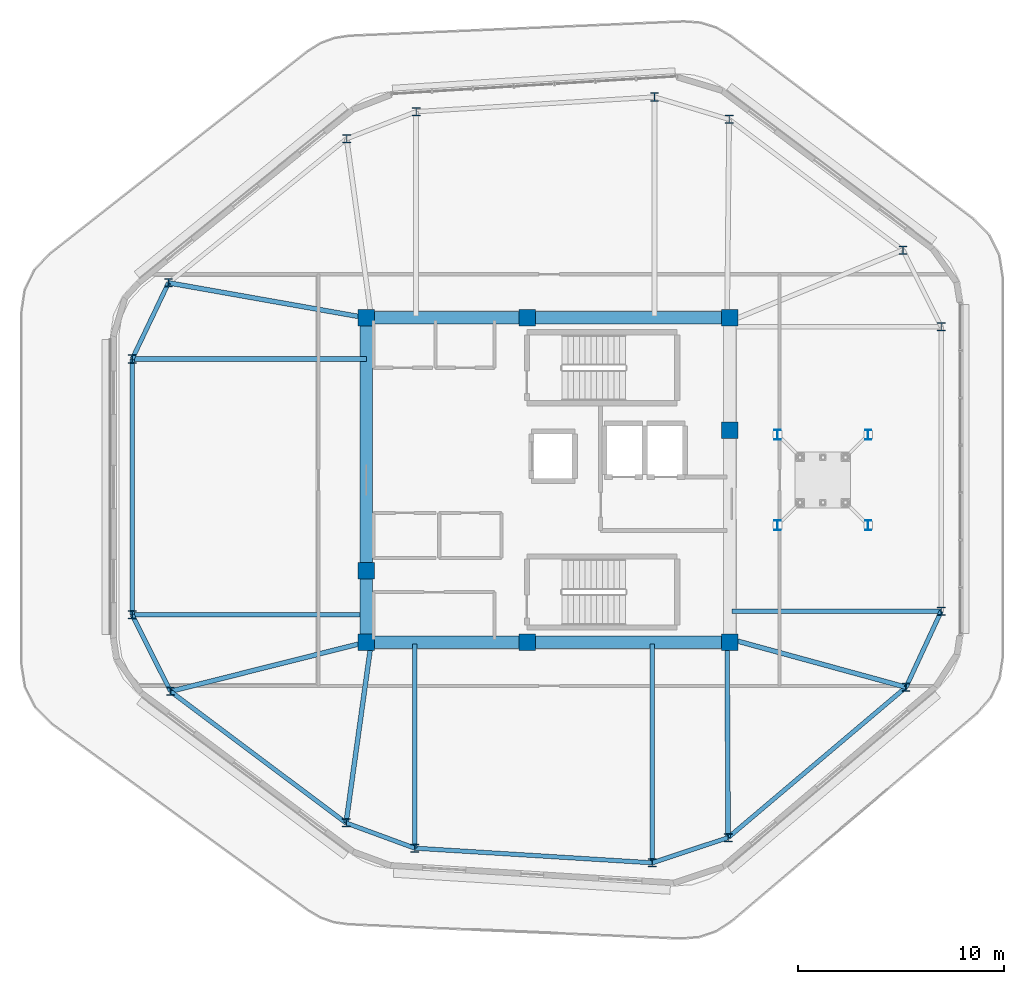
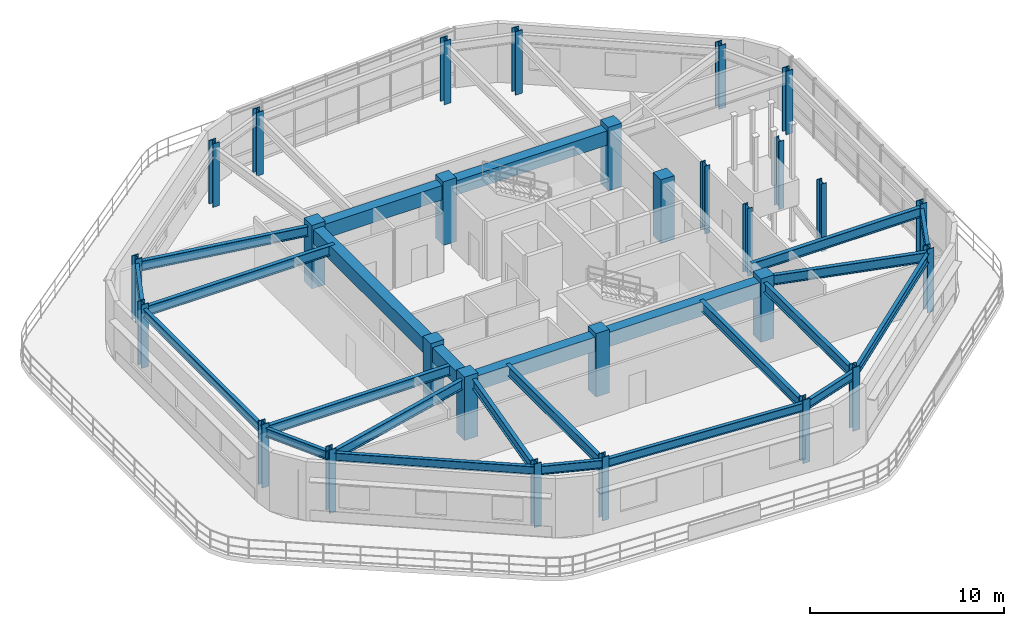
# One storey, part 1 of 13: 28 columns, 25 beams.
"""IFC4 building model written with IfcOpenShell, lengths in metres."""

import ifcopenshell
import ifcopenshell.guid

model = None  # the IFC model being written
_history = None  # IfcOwnerHistory: only IFC2X3 demands one
_inside = {}  # id of a spatial element -> (the spatial element, [elements in it])
_under = {}  # id of a project, library or spatial element -> (it, [spatial elements below it])
_declared = {}  # id of a project -> (the project, [libraries it declares])
_typed = {}  # id of a type object -> (the type object, [elements of that type])
_made_of = {}  # id of a material, layer set ... -> (it, [elements and type objects made of it])


def new_model(schema):
    """Start an empty IFC model of exactly this schema.

    Asked for "IFC4X3", IfcOpenShell would pick the latest addendum, in which some entities
    have other attributes; the version numbers below select the first issue.
    IFC2X3 requires an IfcOwnerHistory on every rooted entity: one is made here for all.
    """
    global model, _history
    if schema == "IFC4X3":
        model = ifcopenshell.file(schema_version=(4, 3, 0, 0))
    else:
        model = ifcopenshell.file(schema=schema)
    _inside.clear()
    _under.clear()
    _declared.clear()
    _typed.clear()
    _made_of.clear()
    _history = None
    if model.schema == "IFC2X3":
        org = make("IfcOrganization", Name="unknown")
        user = make(
            "IfcPersonAndOrganization",
            ThePerson=make("IfcPerson", FamilyName="unknown"),
            TheOrganization=org,
        )
        app = make(
            "IfcApplication",
            ApplicationDeveloper=org,
            Version="unknown",
            ApplicationFullName="unknown",
            ApplicationIdentifier="unknown",
        )
        _history = make(
            "IfcOwnerHistory",
            OwningUser=user,
            OwningApplication=app,
            ChangeAction="ADDED",
            CreationDate=0,
        )
    return model


def make(cls, **values):
    """One entity of the class cls with the attributes given. An attribute that is None is left unset."""
    return model.create_entity(
        cls, **{name: value for name, value in values.items() if value is not None}
    )


def rooted(cls, **values):
    """An entity with a GlobalId (a new one), such as an element, a storey or a relation."""
    return make(cls, GlobalId=ifcopenshell.guid.new(), OwnerHistory=_history, **values)


def si_unit(unit_type, name, prefix=None):
    """IfcSIUnit, for example si_unit("LENGTHUNIT", "METRE", prefix="MILLI")."""
    return make("IfcSIUnit", UnitType=unit_type, Prefix=prefix, Name=name)


def assignment(units):
    """IfcUnitAssignment: the units of a project."""
    return None if units is None else make("IfcUnitAssignment", Units=units)


def point(xyz):
    """IfcCartesianPoint."""
    return None if xyz is None else make("IfcCartesianPoint", Coordinates=xyz)


def direction(xyz):
    """IfcDirection."""
    return None if xyz is None else make("IfcDirection", DirectionRatios=xyz)


def frame(location, z_axis=None, x_axis=None):
    """IfcAxis2Placement3D, a coordinate frame: its origin and axes. An axis left out is left unset."""
    return make(
        "IfcAxis2Placement3D",
        Location=point(location),
        Axis=direction(z_axis),
        RefDirection=direction(x_axis),
    )


def frame_2d(location, x_axis=None):
    """IfcAxis2Placement2D, a coordinate frame in the plane: its origin and x axis."""
    return make(
        "IfcAxis2Placement2D", Location=point(location), RefDirection=direction(x_axis)
    )


def origin():
    """The frame at (0, 0, 0) with its axes left unset."""
    return frame((0.0, 0.0, 0.0))


def origin_2d():
    """The frame at (0, 0) in the plane with its x axis left unset."""
    return frame_2d((0.0, 0.0))


def place(relative_to, where):
    """IfcLocalPlacement: puts the frame where relative to a parent placement (None: the world)."""
    return make(
        "IfcLocalPlacement", PlacementRelTo=relative_to, RelativePlacement=where
    )


def context(
    kind, dimensions, precision=None, world=None, true_north=None, identifier=None
):
    """IfcGeometricRepresentationContext, for example the 3D "Model" context."""
    return make(
        "IfcGeometricRepresentationContext",
        ContextIdentifier=identifier,
        ContextType=kind,
        CoordinateSpaceDimension=dimensions,
        Precision=precision,
        WorldCoordinateSystem=world,
        TrueNorth=true_north,
    )


def subcontext(parent, identifier, kind, view, scale=None):
    """IfcGeometricRepresentationSubContext, for example "Body" below "Model"."""
    return make(
        "IfcGeometricRepresentationSubContext",
        ContextIdentifier=identifier,
        ContextType=kind,
        ParentContext=parent,
        TargetScale=scale,
        TargetView=view,
    )


def project(units=None, contexts=None):
    """IfcProject with its units and contexts."""
    return rooted(
        "IfcProject",
        Name="project",
        RepresentationContexts=contexts,
        UnitsInContext=assignment(units),
    )


def spatial(cls, under=None, at=None, **own):
    """A site, building, storey or space (cls), placed at a placement, below another one or the project."""
    s = rooted(cls, ObjectPlacement=at, **own)
    if under is not None:
        _under.setdefault(under.id(), (under, []))[1].append(s)
    return s


def profile(cls, at=None, kind="AREA", **sizes):
    """A parametric profile (cls). Its sizes go by their IFC names, for example OverallWidth=200.0."""
    return make(cls, ProfileType=kind, Position=at, **sizes)


def rectangle(**sizes):
    """IfcRectangleProfileDef."""
    return profile("IfcRectangleProfileDef", **sizes)


def i_section(**sizes):
    """IfcIShapeProfileDef."""
    return profile("IfcIShapeProfileDef", **sizes)


def extrude(swept, where, along, depth):
    """IfcExtrudedAreaSolid: the profile swept, set in the frame where, extruded along a direction by depth."""
    return make(
        "IfcExtrudedAreaSolid",
        SweptArea=swept,
        Position=where,
        ExtrudedDirection=direction(along),
        Depth=depth,
    )


def shape(context_of_items, identifier, shape_type, items):
    """IfcShapeRepresentation: the items that make up one representation, for example the "Body"."""
    return make(
        "IfcShapeRepresentation",
        ContextOfItems=context_of_items,
        RepresentationIdentifier=identifier,
        RepresentationType=shape_type,
        Items=items,
    )


def material(Name=None, Category=None):
    """IfcMaterial."""
    return make("IfcMaterial", Name=Name, Category=Category)


def material_profile(
    of_material, cross_section, Name=None, Category=None, Priority=None
):
    """IfcMaterialProfile: a cross section and its material."""
    return make(
        "IfcMaterialProfile",
        Name=Name,
        Material=of_material,
        Profile=cross_section,
        Priority=Priority,
        Category=Category,
    )


def profile_set(profiles, Name=None, composite=None):
    """IfcMaterialProfileSet."""
    return make(
        "IfcMaterialProfileSet",
        Name=Name,
        MaterialProfiles=profiles,
        CompositeProfile=composite,
    )


def made_of(thing, what):
    """Note that an element or type object is made of a material, layer set ...; save() writes the relation."""
    if what is not None:
        _made_of.setdefault(what.id(), (what, []))[1].append(thing)
    return thing


def type_object(cls, material=None, **own):
    """A type object (cls), such as IfcWallType, which elements share."""
    return made_of(rooted(cls, **own), material)


def element(
    cls,
    number,
    at=None,
    inside=None,
    cuts=None,
    type_object=None,
    material=None,
    context=None,
    identifier="Body",
    shape_type=None,
    held_by="IfcProductDefinitionShape",
    body=None,
    shapes=None,
    **own,
):
    """One element of the class cls, such as IfcWall. Its Tag is "e" and its number.

    at: its placement. inside: the storey or other place that contains it. cuts: it is an
    opening in that element (IfcRelVoidsElement). A single representation is given by context,
    identifier, shape_type and body (its items); several are given by shapes. held_by: the class
    of the entity that holds the representations. save() writes the other relations.
    """
    e = rooted(cls, Tag="e%d" % number, ObjectPlacement=at, **own)
    if body is not None:
        shapes = [shape(context, identifier, shape_type, body)]
    if shapes is not None:
        e.Representation = make(held_by, Representations=shapes)
    if inside is not None:
        _inside.setdefault(inside.id(), (inside, []))[1].append(e)
    if cuts is not None:
        rooted(
            "IfcRelVoidsElement", RelatingBuildingElement=cuts, RelatedOpeningElement=e
        )
    if type_object is not None:
        _typed.setdefault(type_object.id(), (type_object, []))[1].append(e)
    return made_of(e, material)


def aggregate(whole, parts):
    """IfcRelAggregates: a whole, such as a stair, and the parts it consists of."""
    return rooted("IfcRelAggregates", RelatingObject=whole, RelatedObjects=parts)


def save(model, path):
    """Write the relations noted so far, then the file.

    IfcRelAggregates (storeys below a building ...), IfcRelContainedInSpatialStructure (elements
    in a storey), IfcRelDefinesByType, IfcRelAssociatesMaterial and IfcRelDeclares: one each for
    every whole, place, type object, material and project.
    """
    for whole, parts in _under.values():
        aggregate(whole, parts)
    for where, things in _inside.values():
        rooted(
            "IfcRelContainedInSpatialStructure",
            RelatedElements=things,
            RelatingStructure=where,
        )
    for kind, things in _typed.values():
        rooted("IfcRelDefinesByType", RelatedObjects=things, RelatingType=kind)
    for what, things in _made_of.values():
        rooted("IfcRelAssociatesMaterial", RelatedObjects=things, RelatingMaterial=what)
    for by, libraries in _declared.values():
        rooted("IfcRelDeclares", RelatingContext=by, RelatedDefinitions=libraries)
    model.write(path)


model = new_model("IFC4")

# Units and contexts
model_context = context("Model", 3, precision=1e-05, world=origin(), true_north=direction((0.0, 1.0)))
body_context = subcontext(model_context, "Body", "Model", "MODEL_VIEW")
ifc_project = project(units=[si_unit("LENGTHUNIT", "METRE"), si_unit("AREAUNIT", "SQUARE_METRE"), si_unit("VOLUMEUNIT", "CUBIC_METRE"), si_unit("PLANEANGLEUNIT", "RADIAN"), si_unit("MASSUNIT", "GRAM", prefix="KILO")], contexts=[model_context])

# Site, building, storey
site_placement = place(None, origin())
site = spatial("IfcSite", under=ifc_project, at=site_placement, CompositionType="ELEMENT")
building_placement = place(site_placement, origin())
building = spatial("IfcBuilding", under=site, at=building_placement, Name="Zulverin Broadcast Headquarters", CompositionType="ELEMENT")
storey_placement = place(building_placement, frame((0.0, 0.0, 313.39990234375)))
storey = spatial("IfcBuildingStorey", under=building, at=storey_placement, Name="C1", CompositionType="ELEMENT", Elevation=313.39990234375)

# Columns
ifc_material_1 = material(Name="Structural steel S355JR", Category="steel")
ifc_material_profile_1 = material_profile(ifc_material_1, i_section(OverallWidth=0.300048828125, OverallDepth=0.5, WebThickness=0.014404296875, FlangeThickness=0.028076171875, at=origin_2d()), Name="Structural steel S355JR", Category="steel")
ifc_profile_set_1 = profile_set([ifc_material_profile_1], Name="Structural steel S355JR")
column_type_1 = type_object("IfcColumnType", Name="COL-HEB-500", PredefinedType="COLUMN", material=ifc_profile_set_1)
for number, where, z_axis, x_axis, name in (
    (1, (50.60009765625, 23.0, -0.27978515625), (0.0, 0.0, 1.0), (1.0, 0.0, 0.0), "C1 Tuned Mass Damper Frame Column TMD-C1"),
    (2, (55.0, 23.0, -0.27978515625), (0.0, 0.0, 1.0), (1.0, 0.0, 0.0), "C1 Tuned Mass Damper Frame Column TMD-C2"),
    (3, (55.0, 27.39990234375, -0.27978515625), (0.0, 0.0, 1.0), (1.0, 0.0, 0.0), "C1 Tuned Mass Damper Frame Column TMD-C3"),
    (4, (50.60009765625, 27.39990234375, -0.27978515625), (0.0, 0.0, 1.0), (1.0, 0.0, 0.0), "C1 Tuned Mass Damper Frame Column TMD-C4"),
):
    element("IfcColumn", number, at=place(storey_placement, frame(where, z_axis=z_axis, x_axis=x_axis)), inside=storey, type_object=column_type_1, Name=name, PredefinedType="COLUMN", context=body_context, shape_type="SweptSolid", body=[
        extrude(i_section(OverallWidth=0.300048828125, OverallDepth=0.5, WebThickness=0.014404296875, FlangeThickness=0.028076171875, at=origin_2d()), origin(), (0.0, 0.0, 1.0), 4.27978515625),
    ])
ifc_material_profile_2 = material_profile(ifc_material_1, i_section(OverallWidth=0.406982421875, OverallDepth=0.4189453125, WebThickness=0.030517578125, FlangeThickness=0.04931640625, at=origin_2d()), Name="Structural steel S355JR", Category="steel")
ifc_profile_set_2 = profile_set([ifc_material_profile_2], Name="Structural steel S355JR")
column_type_2 = type_object("IfcColumnType", Name="COL-UC-393", PredefinedType="COLUMN", material=ifc_profile_set_2)
for number, where, z_axis, x_axis, name in (
    (5, (32.971923828125, 7.314697265625, 0.0), (0.0, 0.0, 1.0), (1.0, 0.0, 0.0), "C1 Perimeter Column T01"),
    (6, (44.510498046875, 6.602783203125, 0.0), (0.0, 0.0, 1.0), (1.0, 0.0, 0.0), "C1 Perimeter Column T02"),
    (7, (48.198486328125, 7.82568359375, 0.0), (0.0, 0.0, 1.0), (1.0, 0.0, 0.0), "C1 Perimeter Column T03"),
    (8, (56.83935546875, 15.132568359375, 0.0), (0.0, 0.0, 1.0), (1.0, 0.0, 0.0), "C1 Perimeter Column T04"),
    (9, (58.550048828125, 18.819580078125, 0.0), (0.0, 0.0, 1.0), (1.0, 0.0, 0.0), "C1 Perimeter Column T05"),
    (10, (58.550048828125, 32.648193359375, 0.0), (0.0, 0.0, 1.0), (1.0, 0.0, 0.0), "C1 Perimeter Column T06"),
    (11, (56.692626953125, 36.36767578125, 0.0), (0.0, 0.0, 1.0), (1.0, 0.0, 0.0), "C1 Perimeter Column T07"),
    (12, (48.24609375, 42.716796875, 0.0), (0.0, 0.0, 1.0), (1.0, 0.0, 0.0), "C1 Perimeter Column T08"),
    (13, (44.622314453125, 43.80419921875, 0.0), (0.0, 0.0, 1.0), (1.0, 0.0, 0.0), "C1 Perimeter Column T09"),
    (14, (33.041259765625, 43.089599609375, 0.0), (0.0, 0.0, 1.0), (1.0, 0.0, 0.0), "C1 Perimeter Column T10"),
    (15, (29.665771484375, 41.776611328125, 0.0), (0.0, 0.0, 1.0), (1.0, 0.0, 0.0), "C1 Perimeter Column T11"),
    (16, (21.015625, 34.77587890625, 0.0), (0.0, 0.0, 1.0), (1.0, 0.0, 0.0), "C1 Perimeter Column T12"),
    (17, (19.25, 31.07568359375, 0.0), (0.0, 0.0, 1.0), (1.0, 0.0, 0.0), "C1 Perimeter Column T13"),
    (18, (19.25, 18.65087890625, 0.0), (0.0, 0.0, 1.0), (1.0, 0.0, 0.0), "C1 Perimeter Column T14"),
    (19, (21.111083984375, 14.9306640625, 0.0), (0.0, 0.0, 1.0), (1.0, 0.0, 0.0), "C1 Perimeter Column T15"),
    (20, (29.639404296875, 8.5400390625, 0.0), (0.0, 0.0, 1.0), (1.0, 0.0, 0.0), "C1 Perimeter Column T16"),
):
    element("IfcColumn", number, at=place(storey_placement, frame(where, z_axis=z_axis, x_axis=x_axis)), inside=storey, type_object=column_type_2, Name=name, PredefinedType="COLUMN", context=body_context, shape_type="SweptSolid", body=[
        extrude(i_section(OverallWidth=0.406982421875, OverallDepth=0.4189453125, WebThickness=0.030517578125, FlangeThickness=0.04931640625, at=origin_2d()), origin(), (0.0, 0.0, 1.0), 4.0),
    ])
ifc_material_2 = material(Name="Concrete C50/60", Category="concrete")
ifc_material_profile_3 = material_profile(ifc_material_2, rectangle(XDim=0.800048828125, YDim=0.800048828125, at=origin_2d()), Name="Concrete C50/60", Category="concrete")
ifc_profile_set_3 = profile_set([ifc_material_profile_3], Name="Concrete C50/60")
column_type_3 = type_object("IfcColumnType", Name="PIL-RC-800", PredefinedType="PILASTER", material=ifc_profile_set_3)
for number, where, z_axis, x_axis, name in (
    (21, (30.625, 17.324951171875, 0.0), (0.0, 0.0, 1.0), (1.0, 0.0, 0.0), "C1 Core Pilaster K01"),
    (22, (38.449951171875, 17.324951171875, 0.0), (0.0, 0.0, 1.0), (1.0, 0.0, 0.0), "C1 Core Pilaster K02"),
    (23, (48.27490234375, 17.324951171875, 0.0), (0.0, 0.0, 1.0), (1.0, 0.0, 0.0), "C1 Core Pilaster K03"),
    (24, (48.27490234375, 27.6201171875, 0.0), (0.0, 0.0, 1.0), (1.0, 0.0, 0.0), "C1 Core Pilaster K04"),
    (25, (48.27490234375, 33.074951171875, 0.0), (0.0, 0.0, 1.0), (1.0, 0.0, 0.0), "C1 Core Pilaster K05"),
    (26, (38.449951171875, 33.074951171875, 0.0), (0.0, 0.0, 1.0), (1.0, 0.0, 0.0), "C1 Core Pilaster K06"),
    (27, (30.625, 33.074951171875, 0.0), (0.0, 0.0, 1.0), (1.0, 0.0, 0.0), "C1 Core Pilaster K07"),
    (28, (30.625, 20.800048828125, 0.0), (0.0, 0.0, 1.0), (1.0, 0.0, 0.0), "C1 Core Pilaster K08"),
):
    element("IfcColumn", number, at=place(storey_placement, frame(where, z_axis=z_axis, x_axis=x_axis)), inside=storey, type_object=column_type_3, Name=name, PredefinedType="PILASTER", context=body_context, shape_type="SweptSolid", body=[
        extrude(rectangle(XDim=0.800048828125, YDim=0.800048828125, at=origin_2d()), origin(), (0.0, 0.0, 1.0), 4.0),
    ])

# Beams
ifc_material_3 = material(Name="Concrete C60/75", Category="concrete")
ifc_material_profile_4 = material_profile(ifc_material_3, rectangle(XDim=0.60009765625, YDim=0.89990234375, at=origin_2d()), Name="Concrete C60/75", Category="concrete")
ifc_profile_set_4 = profile_set([ifc_material_profile_4], Name="Concrete C60/75")
beam_type_1 = type_object("IfcBeamType", Name="BM-CB-600x900", PredefinedType="LINTEL", material=ifc_profile_set_4)
beam_1_placement = place(storey_placement, frame((30.625, 17.324951171875, 3.27001953125), z_axis=(1.0, 0.0, 0.0), x_axis=(0.0, 1.0, 0.0)))
element("IfcBeam", 29, at=beam_1_placement, inside=storey, type_object=beam_type_1, Name="C1 Core Coupling Girder K01-K02", PredefinedType="LINTEL", context=body_context, shape_type="SweptSolid", body=[
    extrude(rectangle(XDim=0.60009765625, YDim=0.89990234375, at=origin_2d()), origin(), (0.0, 0.0, 1.0), 7.824951171875),
])
for number, where, z_axis, x_axis, name in (
    (30, (38.449951171875, 17.324951171875, 3.27001953125), (1.0, 0.0, 0.0), (0.0, 1.0, 0.0), "C1 Core Coupling Girder K02-K03"),
    (31, (48.27490234375, 33.074951171875, 3.27001953125), (-1.0, 0.0, 0.0), (0.0, -1.0, 0.0), "C1 Core Coupling Girder K05-K06"),
):
    element("IfcBeam", number, at=place(storey_placement, frame(where, z_axis=z_axis, x_axis=x_axis)), inside=storey, type_object=beam_type_1, Name=name, PredefinedType="LINTEL", context=body_context, shape_type="SweptSolid", body=[
        extrude(rectangle(XDim=0.60009765625, YDim=0.89990234375, at=origin_2d()), origin(), (0.0, 0.0, 1.0), 9.824951171875),
    ])
beam_2_placement = place(storey_placement, frame((38.449951171875, 33.074951171875, 3.27001953125), z_axis=(-1.0, 0.0, 0.0), x_axis=(0.0, -1.0, 0.0)))
element("IfcBeam", 32, at=beam_2_placement, inside=storey, type_object=beam_type_1, Name="C1 Core Coupling Girder K06-K07", PredefinedType="LINTEL", context=body_context, shape_type="SweptSolid", body=[
    extrude(rectangle(XDim=0.60009765625, YDim=0.89990234375, at=origin_2d()), origin(), (0.0, 0.0, 1.0), 7.824951171875),
])
beam_3_placement = place(storey_placement, frame((30.625, 33.074951171875, 3.27001953125), z_axis=(0.0, -1.0, 0.0), x_axis=(1.0, 0.0, 0.0)))
element("IfcBeam", 33, at=beam_3_placement, inside=storey, type_object=beam_type_1, Name="C1 Core Coupling Girder K07-K08", PredefinedType="LINTEL", context=body_context, shape_type="SweptSolid", body=[
    extrude(rectangle(XDim=0.60009765625, YDim=0.89990234375, at=origin_2d()), origin(), (0.0, 0.0, 1.0), 12.27490234375),
])
beam_4_placement = place(storey_placement, frame((30.625, 20.800048828125, 3.27001953125), z_axis=(0.0, -1.0, 0.0), x_axis=(1.0, 0.0, 0.0)))
element("IfcBeam", 34, at=beam_4_placement, inside=storey, type_object=beam_type_1, Name="C1 Core Coupling Girder K08-K01", PredefinedType="LINTEL", context=body_context, shape_type="SweptSolid", body=[
    extrude(rectangle(XDim=0.60009765625, YDim=0.89990234375, at=origin_2d()), origin(), (0.0, 0.0, 1.0), 3.47509765625),
])
ifc_material_profile_5 = material_profile(ifc_material_1, i_section(OverallWidth=0.2119140625, OverallDepth=0.54443359375, WebThickness=0.0126953125, FlangeThickness=0.021240234375, at=origin_2d()), Name="Structural steel S355JR", Category="steel")
ifc_profile_set_5 = profile_set([ifc_material_profile_5], Name="Structural steel S355JR")
beam_type_2 = type_object("IfcBeamType", Name="BM-UB-533", PredefinedType="SPANDREL", material=ifc_profile_set_5)
beam_5_placement = place(storey_placement, frame((32.971923828125, 7.314697265625, 3.447998046875), z_axis=(0.998102057363, -0.06158151579, 0.0), x_axis=(0.06158151579, 0.998102057363, 0.0)))
element("IfcBeam", 35, at=beam_5_placement, inside=storey, type_object=beam_type_2, Name="C1 Perimeter Spandrel Beam SP-01", PredefinedType="SPANDREL", context=body_context, shape_type="SweptSolid", body=[
    extrude(i_section(OverallWidth=0.2119140625, OverallDepth=0.54443359375, WebThickness=0.0126953125, FlangeThickness=0.021240234375, at=origin_2d()), origin(), (0.0, 0.0, 1.0), 11.560546875),
])
beam_6_placement = place(storey_placement, frame((44.510498046875, 6.602783203125, 3.447998046875), z_axis=(0.94917852209, 0.314738197878, 0.0), x_axis=(-0.314738197878, 0.94917852209, 0.0)))
element("IfcBeam", 36, at=beam_6_placement, inside=storey, type_object=beam_type_2, Name="C1 Perimeter Spandrel Beam SP-02", PredefinedType="SPANDREL", context=body_context, shape_type="SweptSolid", body=[
    extrude(i_section(OverallWidth=0.2119140625, OverallDepth=0.54443359375, WebThickness=0.0126953125, FlangeThickness=0.021240234375, at=origin_2d()), origin(), (0.0, 0.0, 1.0), 3.885498046875),
])
beam_7_placement = place(storey_placement, frame((48.198486328125, 7.82568359375, 3.447998046875), z_axis=(0.763587561037, 0.645704295038, 0.0), x_axis=(-0.645704295038, 0.763587561037, 0.0)))
element("IfcBeam", 37, at=beam_7_placement, inside=storey, type_object=beam_type_2, Name="C1 Perimeter Spandrel Beam SP-03", PredefinedType="SPANDREL", context=body_context, shape_type="SweptSolid", body=[
    extrude(i_section(OverallWidth=0.2119140625, OverallDepth=0.54443359375, WebThickness=0.0126953125, FlangeThickness=0.021240234375, at=origin_2d()), origin(), (0.0, 0.0, 1.0), 11.316162109375),
])
beam_8_placement = place(storey_placement, frame((56.83935546875, 15.132568359375, 3.447998046875), z_axis=(0.420881870179, 0.907115456463, 0.0), x_axis=(-0.907115456463, 0.420881870179, 0.0)))
element("IfcBeam", 38, at=beam_8_placement, inside=storey, type_object=beam_type_2, Name="C1 Perimeter Spandrel Beam SP-04", PredefinedType="SPANDREL", context=body_context, shape_type="SweptSolid", body=[
    extrude(i_section(OverallWidth=0.2119140625, OverallDepth=0.54443359375, WebThickness=0.0126953125, FlangeThickness=0.021240234375, at=origin_2d()), origin(), (0.0, 0.0, 1.0), 4.064453125),
])
beam_9_placement = place(storey_placement, frame((21.015625, 34.77587890625, 3.447998046875), z_axis=(-0.430654629298, -0.902516808854, 0.0), x_axis=(0.902516808854, -0.430654629298, 0.0)))
element("IfcBeam", 39, at=beam_9_placement, inside=storey, type_object=beam_type_2, Name="C1 Perimeter Spandrel Beam SP-12", PredefinedType="SPANDREL", context=body_context, shape_type="SweptSolid", body=[
    extrude(i_section(OverallWidth=0.2119140625, OverallDepth=0.54443359375, WebThickness=0.0126953125, FlangeThickness=0.021240234375, at=origin_2d()), origin(), (0.0, 0.0, 1.0), 4.099853515625),
])
beam_10_placement = place(storey_placement, frame((19.25, 31.07568359375, 3.447998046875), z_axis=(0.0, -1.0, 0.0), x_axis=(1.0, 0.0, 0.0)))
element("IfcBeam", 40, at=beam_10_placement, inside=storey, type_object=beam_type_2, Name="C1 Perimeter Spandrel Beam SP-13", PredefinedType="SPANDREL", context=body_context, shape_type="SweptSolid", body=[
    extrude(i_section(OverallWidth=0.2119140625, OverallDepth=0.54443359375, WebThickness=0.0126953125, FlangeThickness=0.021240234375, at=origin_2d()), origin(), (0.0, 0.0, 1.0), 12.4248046875),
])
beam_11_placement = place(storey_placement, frame((19.25, 18.65087890625, 3.447998046875), z_axis=(0.4474013968, -0.894333265702, 0.0), x_axis=(0.894333265702, 0.4474013968, 0.0)))
element("IfcBeam", 41, at=beam_11_placement, inside=storey, type_object=beam_type_2, Name="C1 Perimeter Spandrel Beam SP-14", PredefinedType="SPANDREL", context=body_context, shape_type="SweptSolid", body=[
    extrude(i_section(OverallWidth=0.2119140625, OverallDepth=0.54443359375, WebThickness=0.0126953125, FlangeThickness=0.021240234375, at=origin_2d()), origin(), (0.0, 0.0, 1.0), 4.15966796875),
])
beam_12_placement = place(storey_placement, frame((21.111083984375, 14.9306640625, 3.447998046875), z_axis=(0.800252842914, -0.599662728046, 0.0), x_axis=(0.599662728046, 0.800252842914, 0.0)))
element("IfcBeam", 42, at=beam_12_placement, inside=storey, type_object=beam_type_2, Name="C1 Perimeter Spandrel Beam SP-15", PredefinedType="SPANDREL", context=body_context, shape_type="SweptSolid", body=[
    extrude(i_section(OverallWidth=0.2119140625, OverallDepth=0.54443359375, WebThickness=0.0126953125, FlangeThickness=0.021240234375, at=origin_2d()), origin(), (0.0, 0.0, 1.0), 10.656982421875),
])
beam_13_placement = place(storey_placement, frame((29.639404296875, 8.5400390625, 3.447998046875), z_axis=(0.938564798166, -0.345103056556, 0.0), x_axis=(0.345103056556, 0.938564798166, 0.0)))
element("IfcBeam", 43, at=beam_13_placement, inside=storey, type_object=beam_type_2, Name="C1 Perimeter Spandrel Beam SP-16", PredefinedType="SPANDREL", context=body_context, shape_type="SweptSolid", body=[
    extrude(i_section(OverallWidth=0.2119140625, OverallDepth=0.54443359375, WebThickness=0.0126953125, FlangeThickness=0.021240234375, at=origin_2d()), origin(), (0.0, 0.0, 1.0), 3.550537109375),
])
ifc_material_profile_6 = material_profile(ifc_material_1, i_section(OverallWidth=0.230224609375, OverallDepth=0.6171875, WebThickness=0.01318359375, FlangeThickness=0.022216796875, at=origin_2d()), Name="Structural steel S355JR", Category="steel")
ifc_profile_set_6 = profile_set([ifc_material_profile_6], Name="Structural steel S355JR")
beam_type_3 = type_object("IfcBeamType", Name="BM-UB-610", PredefinedType="BEAM", material=ifc_profile_set_6)
beam_14_placement = place(storey_placement, frame((32.971923828125, 17.22509765625, 3.411376953125), z_axis=(0.0, -1.0, 0.0), x_axis=(1.0, 0.0, 0.0)))
element("IfcBeam", 44, at=beam_14_placement, inside=storey, type_object=beam_type_3, Name="C1 Radial Primary Floor Beam RB-01", PredefinedType="BEAM", context=body_context, shape_type="SweptSolid", body=[
    extrude(i_section(OverallWidth=0.230224609375, OverallDepth=0.6171875, WebThickness=0.01318359375, FlangeThickness=0.022216796875, at=origin_2d()), origin(), (0.0, 0.0, 1.0), 9.910400390625),
])
beam_15_placement = place(storey_placement, frame((44.510498046875, 17.22509765625, 3.411376953125), z_axis=(0.0, -1.0, 0.0), x_axis=(1.0, 0.0, 0.0)))
element("IfcBeam", 45, at=beam_15_placement, inside=storey, type_object=beam_type_3, Name="C1 Radial Primary Floor Beam RB-02", PredefinedType="BEAM", context=body_context, shape_type="SweptSolid", body=[
    extrude(i_section(OverallWidth=0.230224609375, OverallDepth=0.6171875, WebThickness=0.01318359375, FlangeThickness=0.022216796875, at=origin_2d()), origin(), (0.0, 0.0, 1.0), 10.622314453125),
])
beam_16_placement = place(storey_placement, frame((48.14990234375, 17.22509765625, 3.411376953125), z_axis=(0.005168762123, -0.99998664186, 0.0), x_axis=(0.99998664186, 0.005168762123, 0.0)))
element("IfcBeam", 46, at=beam_16_placement, inside=storey, type_object=beam_type_3, Name="C1 Radial Primary Floor Beam RB-03", PredefinedType="BEAM", context=body_context, shape_type="SweptSolid", body=[
    extrude(i_section(OverallWidth=0.230224609375, OverallDepth=0.6171875, WebThickness=0.01318359375, FlangeThickness=0.022216796875, at=origin_2d()), origin(), (0.0, 0.0, 1.0), 9.399658203125),
])
beam_17_placement = place(storey_placement, frame((48.375, 17.449951171875, 3.411376953125), z_axis=(0.964505276928, -0.264063573366, 0.0), x_axis=(0.264063573366, 0.964505276928, 0.0)))
element("IfcBeam", 47, at=beam_17_placement, inside=storey, type_object=beam_type_3, Name="C1 Radial Primary Floor Beam RB-04", PredefinedType="BEAM", context=body_context, shape_type="SweptSolid", body=[
    extrude(i_section(OverallWidth=0.230224609375, OverallDepth=0.6171875, WebThickness=0.01318359375, FlangeThickness=0.022216796875, at=origin_2d()), origin(), (0.0, 0.0, 1.0), 8.77587890625),
])
beam_18_placement = place(storey_placement, frame((48.375, 18.819580078125, 3.411376953125), z_axis=(1.0, 0.0, 0.0), x_axis=(0.0, 1.0, 0.0)))
element("IfcBeam", 48, at=beam_18_placement, inside=storey, type_object=beam_type_3, Name="C1 Radial Primary Floor Beam RB-05", PredefinedType="BEAM", context=body_context, shape_type="SweptSolid", body=[
    extrude(i_section(OverallWidth=0.230224609375, OverallDepth=0.6171875, WebThickness=0.01318359375, FlangeThickness=0.022216796875, at=origin_2d()), origin(), (0.0, 0.0, 1.0), 10.175048828125),
])
beam_19_placement = place(storey_placement, frame((30.625, 33.074951171875, 3.411376953125), z_axis=(-0.984693009553, 0.174297667621, 0.0), x_axis=(-0.174297667621, -0.984693009553, 0.0)))
element("IfcBeam", 49, at=beam_19_placement, inside=storey, type_object=beam_type_3, Name="C1 Radial Primary Floor Beam RB-12", PredefinedType="BEAM", context=body_context, shape_type="SweptSolid", body=[
    extrude(i_section(OverallWidth=0.230224609375, OverallDepth=0.6171875, WebThickness=0.01318359375, FlangeThickness=0.022216796875, at=origin_2d()), origin(), (0.0, 0.0, 1.0), 9.7587890625),
])
for number, where, z_axis, x_axis, name in (
    (50, (30.625, 31.07568359375, 3.411376953125), (-1.0, 0.0, 0.0), (0.0, -1.0, 0.0), "C1 Radial Primary Floor Beam RB-13"),
    (51, (30.625, 18.65087890625, 3.411376953125), (-1.0, 0.0, 0.0), (0.0, -1.0, 0.0), "C1 Radial Primary Floor Beam RB-14"),
):
    element("IfcBeam", number, at=place(storey_placement, frame(where, z_axis=z_axis, x_axis=x_axis)), inside=storey, type_object=beam_type_3, Name=name, PredefinedType="BEAM", context=body_context, shape_type="SweptSolid", body=[
        extrude(i_section(OverallWidth=0.230224609375, OverallDepth=0.6171875, WebThickness=0.01318359375, FlangeThickness=0.022216796875, at=origin_2d()), origin(), (0.0, 0.0, 1.0), 11.375),
    ])
beam_20_placement = place(storey_placement, frame((30.625, 17.324951171875, 3.411376953125), z_axis=(-0.96976217722, -0.244051878981, 0.0), x_axis=(0.244051878981, -0.96976217722, 0.0)))
element("IfcBeam", 52, at=beam_20_placement, inside=storey, type_object=beam_type_3, Name="C1 Radial Primary Floor Beam RB-15", PredefinedType="BEAM", context=body_context, shape_type="SweptSolid", body=[
    extrude(i_section(OverallWidth=0.230224609375, OverallDepth=0.6171875, WebThickness=0.01318359375, FlangeThickness=0.022216796875, at=origin_2d()), origin(), (0.0, 0.0, 1.0), 9.810546875),
])
beam_21_placement = place(storey_placement, frame((30.85009765625, 17.22509765625, 3.411376953125), z_axis=(-0.138064564054, -0.990423230822, 0.0), x_axis=(0.990423230822, -0.138064564054, 0.0)))
element("IfcBeam", 53, at=beam_21_placement, inside=storey, type_object=beam_type_3, Name="C1 Radial Primary Floor Beam RB-16", PredefinedType="BEAM", context=body_context, shape_type="SweptSolid", body=[
    extrude(i_section(OverallWidth=0.230224609375, OverallDepth=0.6171875, WebThickness=0.01318359375, FlangeThickness=0.022216796875, at=origin_2d()), origin(), (0.0, 0.0, 1.0), 8.76904296875),
])

save(model, "model.ifc")
